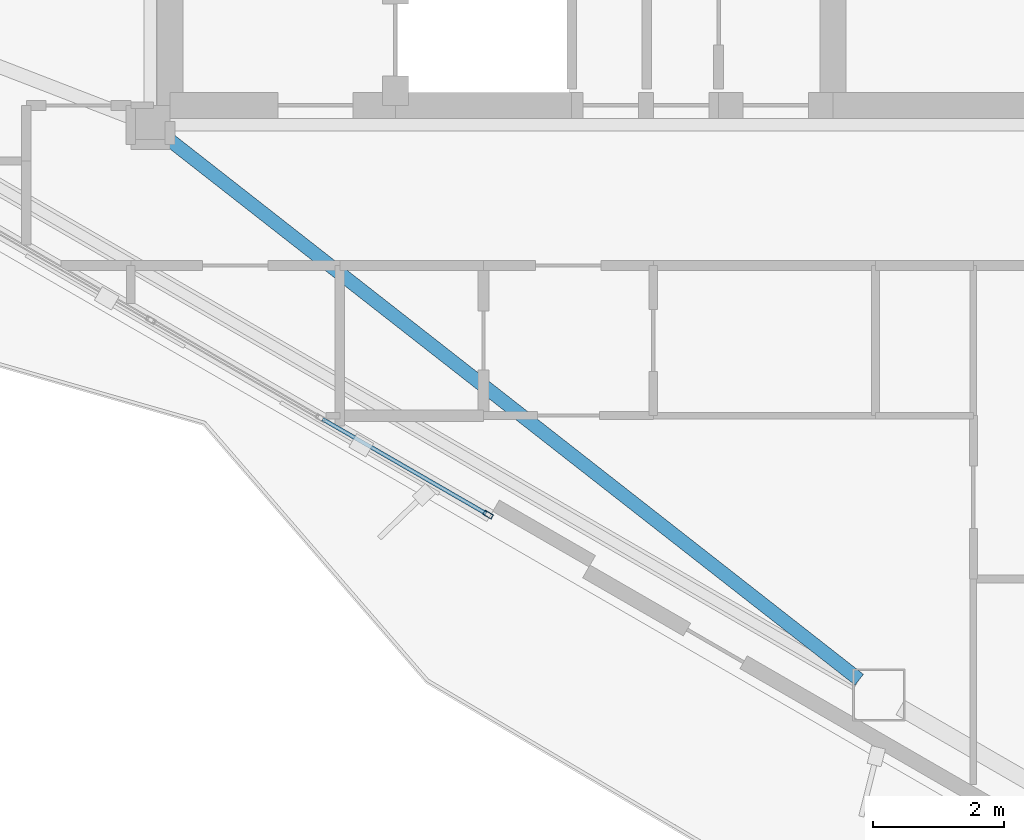
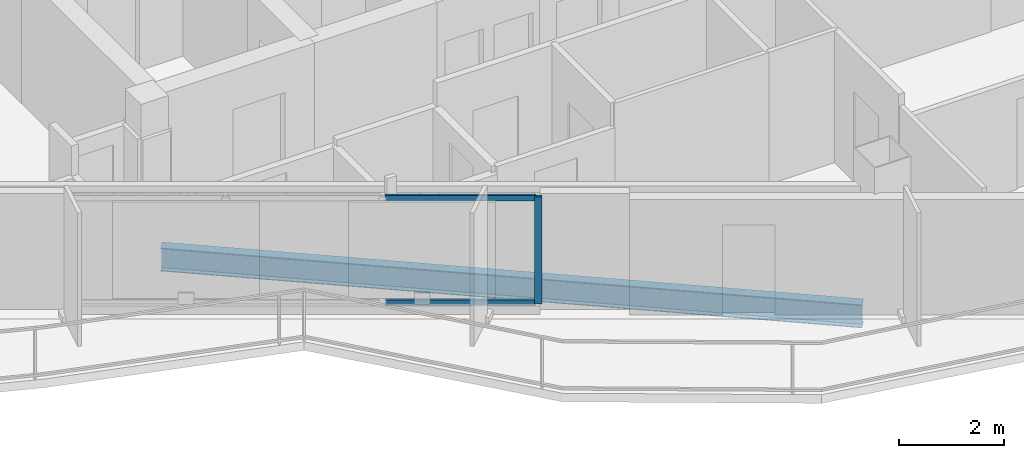
# One storey, part 4 of 22: 3 members, 1 beam, 1 element without a shape of its own.
"""IFC4 building model written with IfcOpenShell, lengths in metres."""

from ifc_helpers import new_model, si_unit, direction, frame, origin, origin_2d, place, context, subcontext, project, spatial, hollow_rectangle, i_section, extrude, material, layer, layer_set, material_profile, profile_set, type_object, element, aggregate, save


model = new_model("IFC4")

# Units and contexts
model_context = context("Model", 3, precision=1e-05, world=origin(), true_north=direction((0.0, 1.0)))
body_context = subcontext(model_context, "Body", "Model", "MODEL_VIEW")
ifc_project = project(units=[si_unit("LENGTHUNIT", "METRE"), si_unit("AREAUNIT", "SQUARE_METRE"), si_unit("VOLUMEUNIT", "CUBIC_METRE"), si_unit("PLANEANGLEUNIT", "RADIAN"), si_unit("MASSUNIT", "GRAM", prefix="KILO")], contexts=[model_context])

# Site, building, storey
site_placement = place(None, origin())
site = spatial("IfcSite", under=ifc_project, at=site_placement, CompositionType="ELEMENT")
building_placement = place(site_placement, origin())
building = spatial("IfcBuilding", under=site, at=building_placement, Name="Mersakhor Tower and Convention Hall", CompositionType="ELEMENT")
storey_placement = place(building_placement, frame((0.0, 0.0, 205.199951171875)))
storey = spatial("IfcBuildingStorey", under=building, at=storey_placement, Name="L57", CompositionType="ELEMENT", Elevation=205.199951171875)

# Beam
ifc_material_1 = material(Name="Steel S355", Category="steel")
ifc_material_profile_1 = material_profile(ifc_material_1, i_section(OverallWidth=0.2099609375, OverallDepth=0.53662109375, WebThickness=0.0107421875, FlangeThickness=0.017333984375, at=origin_2d()), Name="UB 533x210x101")
ifc_profile_set_1 = profile_set([ifc_material_profile_1], Name="Steel S355")
beam_type = type_object("IfcBeamType", Name="BM-FB-533", PredefinedType="BEAM", material=ifc_profile_set_1)
beam_placement = place(storey_placement, frame((22.12060546875, 20.27734375, -0.498291015625), z_axis=(0.78749660582, -0.616318988692, 0.0), x_axis=(0.616318988692, 0.78749660582, 0.0)))
element("IfcBeam", 1, at=beam_placement, inside=storey, type_object=beam_type, Name="L57 Primary Floor Girder FG-5", PredefinedType="BEAM", context=body_context, shape_type="SweptSolid", body=[
    extrude(i_section(OverallWidth=0.2099609375, OverallDepth=0.53662109375, WebThickness=0.0107421875, FlangeThickness=0.017333984375, at=origin_2d()), origin(), (0.0, 0.0, 1.0), 13.500732421875),
])

# Curtain wall, members
ifc_material_2 = material(Name="Dark solar low-E aluminium curtain wall", Category="aluminium")
ifc_layer = layer(ifc_material_2, 0.169921875)
ifc_layer_set = layer_set([ifc_layer], Name="Dark solar low-E aluminium curtain wall")
curtain_wall_type = type_object("IfcCurtainWallType", Name="CW-SYS-02", PredefinedType="USERDEFINED", material=ifc_layer_set)
curtain_wall_placement = place(storey_placement, origin())
curtain_wall = element("IfcCurtainWall", 2, at=curtain_wall_placement, inside=storey, type_object=curtain_wall_type, Name="L57 Dark-Glass Curtain Wall F3-B2", ObjectType="CURTAIN WALL", PredefinedType="USERDEFINED")
ifc_material_3 = material(Name="Anodised aluminium EN AW-6063 T6", Category="aluminium")
ifc_material_profile_2 = material_profile(ifc_material_3, hollow_rectangle(XDim=0.074951171875, YDim=0.14990234375, WallThickness=0.00634765625, at=origin_2d()), Name="RHS 150x75x6.3")
ifc_profile_set_2 = profile_set([ifc_material_profile_2], Name="Anodised aluminium EN AW-6063 T6")
member_type_1 = type_object("IfcMemberType", Name="CWM-150x75", PredefinedType="MULLION", material=ifc_profile_set_2)
member_1_placement = place(storey_placement, frame((27.06982421875, 14.483154296875, 0.199951171875), z_axis=(0.0, 0.0, 1.0), x_axis=(-0.500007824483, -0.86602088627, 0.0)))
member_1 = element("IfcMember", 3, at=member_1_placement, type_object=member_type_1, Name="CW-02 mullion 1", PredefinedType="MULLION", context=body_context, shape_type="SweptSolid", body=[
    extrude(hollow_rectangle(XDim=0.074951171875, YDim=0.14990234375, WallThickness=0.00634765625, at=origin_2d()), origin(), (0.0, 0.0, 1.0), 2.489990234375),
])
ifc_material_4 = material(Name="Anodised aluminium EN AW-6063 T6", Category="aluminium")
ifc_material_profile_3 = material_profile(ifc_material_4, hollow_rectangle(XDim=0.06005859375, YDim=0.1201171875, WallThickness=0.0048828125, at=origin_2d()), Name="RHS 120x60x5")
ifc_profile_set_3 = profile_set([ifc_material_profile_3], Name="Anodised aluminium EN AW-6063 T6")
member_type_2 = type_object("IfcMemberType", Name="CWT-120x60", PredefinedType="USERDEFINED", material=ifc_profile_set_3)
member_2_placement = place(storey_placement, frame((27.037353515625, 14.501953125, 0.22998046875), z_axis=(-0.86601237176, 0.50002257145, 0.0), x_axis=(-0.50002257145, -0.86601237176, 0.0)))
member_2 = element("IfcMember", 4, at=member_2_placement, type_object=member_type_2, Name="CW-02 transom 1.1", ObjectType="TRANSOM", PredefinedType="USERDEFINED", context=body_context, shape_type="SweptSolid", body=[
    extrude(hollow_rectangle(XDim=0.06005859375, YDim=0.1201171875, WallThickness=0.0048828125, at=origin_2d()), origin(), (0.0, 0.0, 1.0), 2.886962890625),
])
member_3_placement = place(storey_placement, frame((27.037353515625, 14.501953125, 2.66015625), z_axis=(-0.86601237176, 0.50002257145, 0.0), x_axis=(-0.50002257145, -0.86601237176, 0.0)))
member_3 = element("IfcMember", 5, at=member_3_placement, type_object=member_type_2, Name="CW-02 transom 1.2", ObjectType="TRANSOM", PredefinedType="USERDEFINED", context=body_context, shape_type="SweptSolid", body=[
    extrude(hollow_rectangle(XDim=0.06005859375, YDim=0.1201171875, WallThickness=0.0048828125, at=origin_2d()), origin(), (0.0, 0.0, 1.0), 2.886962890625),
])
aggregate(curtain_wall, [member_1, member_2, member_3])

save(model, "model.ifc")
